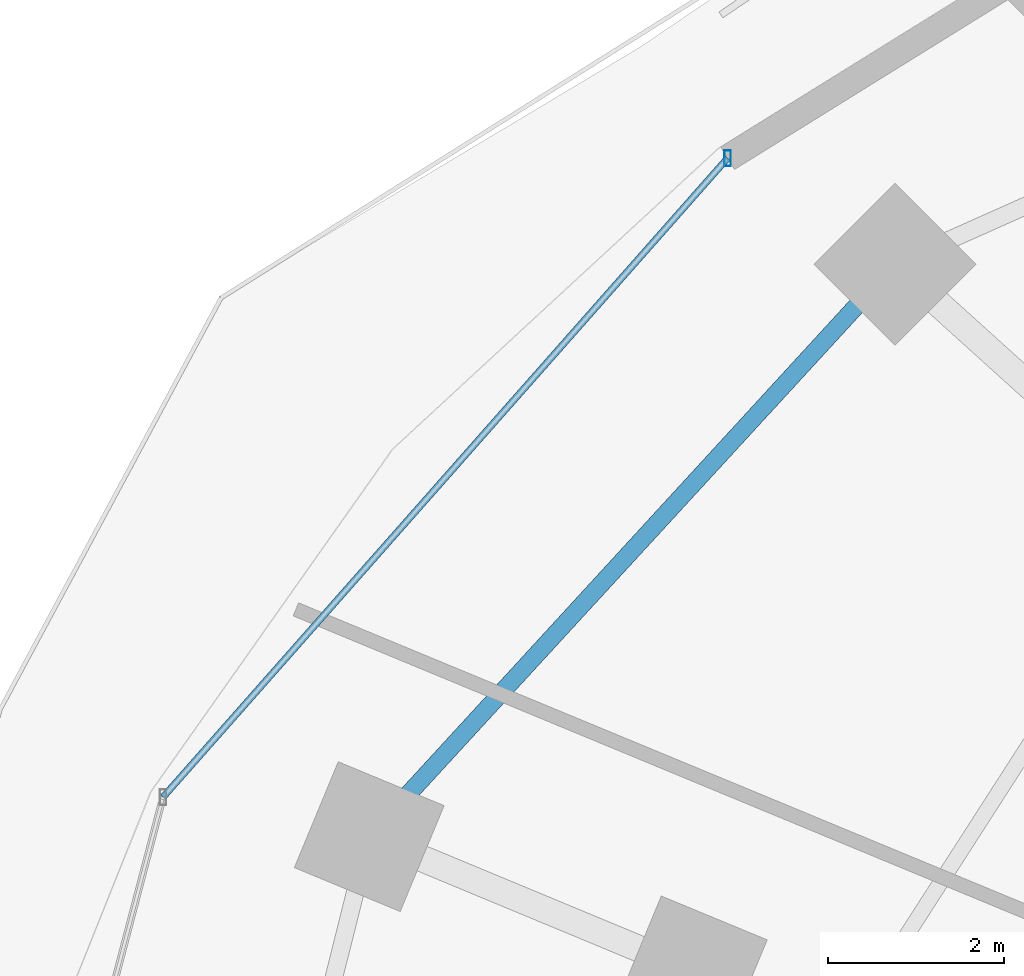
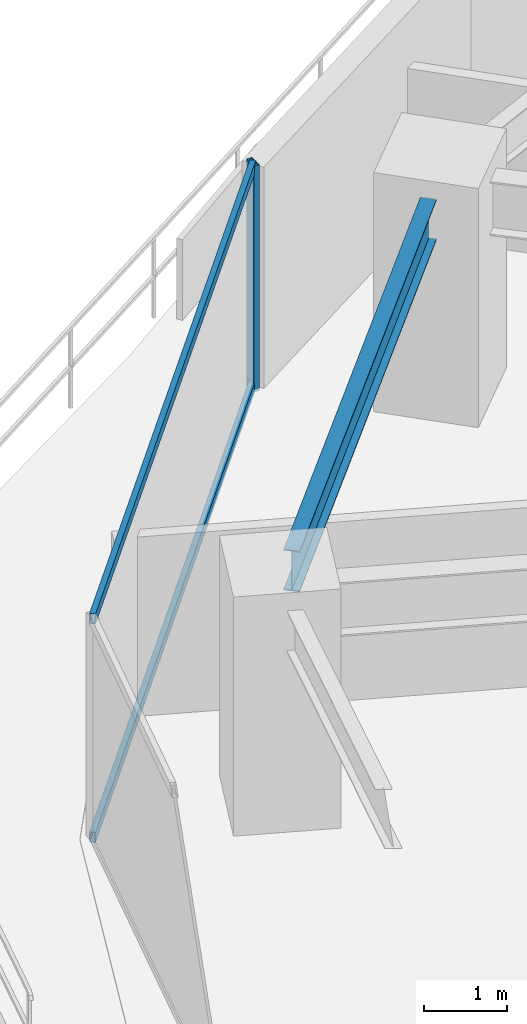
# One storey, part 19 of 34: 3 members, 1 beam, 1 element without a shape of its own.
"""IFC4 building model written with IfcOpenShell, lengths in metres."""

from ifc_helpers import new_model, si_unit, direction, frame, origin, origin_2d, place, context, subcontext, project, spatial, hollow_rectangle, i_section, extrude, material, material_profile, profile_set, type_object, element, aggregate, save


model = new_model("IFC4")

# Units and contexts
model_context = context("Model", 3, precision=1e-05, world=origin(), true_north=direction((0.0, 1.0)))
body_context = subcontext(model_context, "Body", "Model", "MODEL_VIEW")
ifc_project = project(units=[si_unit("LENGTHUNIT", "METRE"), si_unit("AREAUNIT", "SQUARE_METRE"), si_unit("VOLUMEUNIT", "CUBIC_METRE"), si_unit("PLANEANGLEUNIT", "RADIAN"), si_unit("MASSUNIT", "GRAM", prefix="KILO")], contexts=[model_context])

# Site, building, storey
site_placement = place(None, origin())
site = spatial("IfcSite", under=ifc_project, at=site_placement, CompositionType="ELEMENT")
building_placement = place(site_placement, origin())
building = spatial("IfcBuilding", under=site, at=building_placement, Name="Vorneva Point Tower", CompositionType="ELEMENT")
storey_placement = place(building_placement, frame((0.0, 0.0, 31.0)))
storey = spatial("IfcBuildingStorey", under=building, at=storey_placement, Name="L07", CompositionType="ELEMENT", Elevation=31.0)

# Beam
ifc_material_1 = material(Name="Steel S355", Category="steel")
ifc_material_profile_1 = material_profile(ifc_material_1, i_section(OverallWidth=0.198974609375, OverallDepth=0.595947265625, WebThickness=0.010009765625, FlangeThickness=0.014892578125, at=origin_2d()), Name="60B1")
ifc_profile_set_1 = profile_set([ifc_material_profile_1], Name="Steel S355")
beam_type = type_object("IfcBeamType", Name="BM-SPN-60B1", PredefinedType="SPANDREL", material=ifc_profile_set_1)
beam_placement = place(storey_placement, frame((18.572998046875, 40.132080078125, 2.94189453125), z_axis=(-0.676348412786, -0.736581851882, 0.0), x_axis=(0.736581851882, -0.676348412786, 0.0)))
element("IfcBeam", 1, at=beam_placement, inside=storey, type_object=beam_type, Name="L07 Perimeter Spandrel Ring Beam 07", PredefinedType="SPANDREL", context=body_context, shape_type="SweptSolid", body=[
    extrude(i_section(OverallWidth=0.198974609375, OverallDepth=0.595947265625, WebThickness=0.010009765625, FlangeThickness=0.014892578125, at=origin_2d()), origin(), (0.0, 0.0, 1.0), 7.547119140625),
])

# Curtain wall, members
ifc_material_2 = material(Name="Pale anodised aluminium", Category="aluminium")
curtain_wall_type = type_object("IfcCurtainWallType", Name="CW-HTL-SYS", PredefinedType="NOTDEFINED", material=ifc_material_2)
curtain_wall_placement = place(storey_placement, origin())
curtain_wall = element("IfcCurtainWall", 2, at=curtain_wall_placement, inside=storey, type_object=curtain_wall_type, Name="L07 Unitised Curtain Wall CW-L07-R03", PredefinedType="NOTDEFINED")
ifc_material_profile_2 = material_profile(ifc_material_2, hollow_rectangle(XDim=0.074951171875, YDim=0.179931640625, WallThickness=0.00390625, at=origin_2d()), Name="AL-MUL 180x75x4")
ifc_profile_set_2 = profile_set([ifc_material_profile_2], Name="Pale anodised aluminium")
member_type_1 = type_object("IfcMemberType", Name="CW-MUL-180", PredefinedType="MULLION", material=ifc_profile_set_2)
member_1_placement = place(storey_placement, frame((17.10498046875, 41.8037109375, -0.0400390625), z_axis=(0.0, 0.0, 1.0), x_axis=(1.0, 0.0, 0.0)))
member_1 = element("IfcMember", 3, at=member_1_placement, type_object=member_type_1, Name="CW-L07-R03 Mullion 01", PredefinedType="MULLION", context=body_context, shape_type="SweptSolid", body=[
    extrude(hollow_rectangle(XDim=0.074951171875, YDim=0.179931640625, WallThickness=0.00390625, at=origin_2d()), origin(), (0.0, 0.0, 1.0), 3.31005859375),
])
ifc_material_profile_3 = material_profile(ifc_material_2, hollow_rectangle(XDim=0.074951171875, YDim=0.14990234375, WallThickness=0.00390625, at=origin_2d()), Name="AL-TRN 150x75x4")
ifc_profile_set_3 = profile_set([ifc_material_profile_3], Name="Pale anodised aluminium")
member_type_2 = type_object("IfcMemberType", Name="CW-TRN-150", PredefinedType="USERDEFINED", material=ifc_profile_set_3)
member_2_placement = place(storey_placement, frame((17.10498046875, 41.8037109375, 0.02001953125), z_axis=(-0.662075539029, -0.749437109182, 0.0), x_axis=(0.749437109182, -0.662075539029, 0.0)))
member_2 = element("IfcMember", 4, at=member_2_placement, type_object=member_type_2, Name="CW-L07-R03 Transom 01.1", ObjectType="TRANSOM", PredefinedType="USERDEFINED", context=body_context, shape_type="SweptSolid", body=[
    extrude(hollow_rectangle(XDim=0.074951171875, YDim=0.14990234375, WallThickness=0.00390625, at=origin_2d()), origin(), (0.0, 0.0, 1.0), 9.6748046875),
])
member_3_placement = place(storey_placement, frame((17.10498046875, 41.8037109375, 3.219970703125), z_axis=(-0.662075539029, -0.749437109182, 0.0), x_axis=(0.749437109182, -0.662075539029, 0.0)))
member_3 = element("IfcMember", 5, at=member_3_placement, type_object=member_type_2, Name="CW-L07-R03 Transom 01.2", ObjectType="TRANSOM", PredefinedType="USERDEFINED", context=body_context, shape_type="SweptSolid", body=[
    extrude(hollow_rectangle(XDim=0.074951171875, YDim=0.14990234375, WallThickness=0.00390625, at=origin_2d()), origin(), (0.0, 0.0, 1.0), 9.6748046875),
])
aggregate(curtain_wall, [member_1, member_2, member_3])

save(model, "model.ifc")
